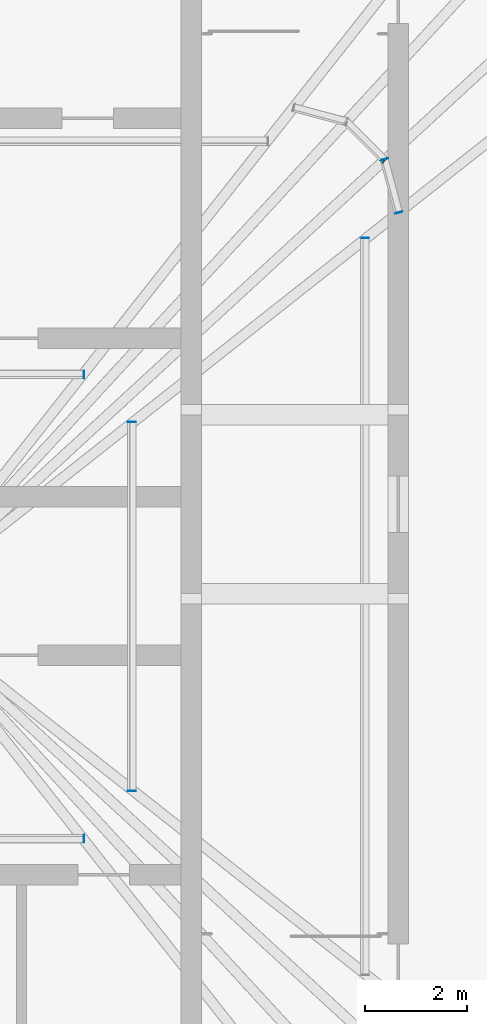
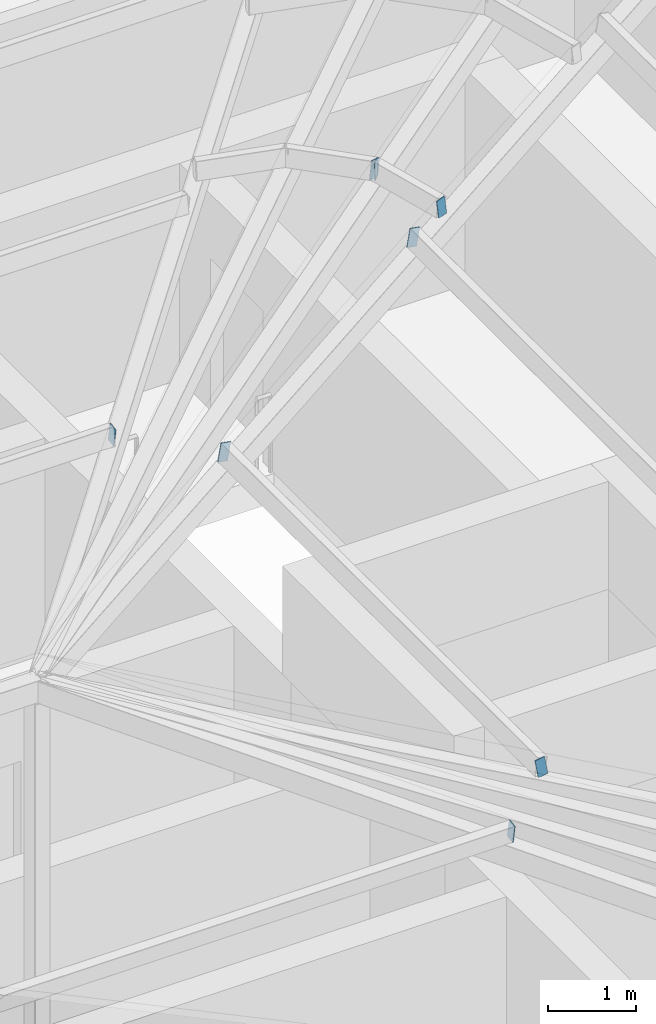
# One storey, part 33 of 46: 8 discrete accessories.
"""IFC4 building model written with IfcOpenShell, lengths in metres."""

from ifc_helpers import new_model, si_unit, direction, frame, origin, origin_2d, place, context, subcontext, project, spatial, rectangle, extrude, material, type_object, element, save


model = new_model("IFC4")

# Units and contexts
model_context = context("Model", 3, precision=1e-05, world=origin(), true_north=direction((0.0, 1.0)))
body_context = subcontext(model_context, "Body", "Model", "MODEL_VIEW")
ifc_project = project(units=[si_unit("LENGTHUNIT", "METRE"), si_unit("AREAUNIT", "SQUARE_METRE"), si_unit("VOLUMEUNIT", "CUBIC_METRE"), si_unit("PLANEANGLEUNIT", "RADIAN"), si_unit("MASSUNIT", "GRAM", prefix="KILO")], contexts=[model_context])

# Site, building, storey
site_placement = place(None, origin())
site = spatial("IfcSite", under=ifc_project, at=site_placement, CompositionType="ELEMENT")
building_placement = place(site_placement, origin())
building = spatial("IfcBuilding", under=site, at=building_placement, Name="Madar Terraces", CompositionType="ELEMENT")
storey_placement = place(building_placement, frame((0.0, 0.0, 317.300048828125)))
storey = spatial("IfcBuildingStorey", under=building, at=storey_placement, Name="L82", CompositionType="ELEMENT", Elevation=317.300048828125)

# Discrete accessories
ifc_material = material(Name="Steel plate ASTM A36, galvanised", Category="steel")
discrete_accessory_type = type_object("IfcDiscreteAccessoryType", Name="Hollow section end plate", PredefinedType="BRACKET", material=ifc_material)
for number, where, z_axis, x_axis, name in (
    (1, (37.199951171875, 19.4619140625, 6.629150390625), (1.0, 0.0, 0.0), (0.0, 0.984957023705, 0.172799483372), "Hollow section end plate"),
    (2, (37.199951171875, 28.5380859375, 6.629150390625), (1.0, 0.0, 0.0), (0.0, 0.984957023705, 0.172799483372), "Hollow section end plate"),
    (3, (42.697998046875, 31.199951171875, 5.8291015625), (0.0, 1.0, 0.0), (-0.984957023705, 0.0, 0.172799483372), "Hollow section end plate"),
    (4, (38.137939453125, 20.39990234375, 6.629150390625), (0.0, -1.0, 0.0), (0.984957023705, 0.0, 0.172799483372), "Hollow section end plate"),
    (5, (38.137939453125, 27.60009765625, 6.629150390625), (0.0, 1.0, 0.0), (-0.984957023705, 0.0, 0.172799483372), "Hollow section end plate"),
):
    element("IfcDiscreteAccessory", number, at=place(storey_placement, frame(where, z_axis=z_axis, x_axis=x_axis)), inside=storey, type_object=discrete_accessory_type, Name=name, PredefinedType="BRACKET", context=body_context, shape_type="SweptSolid", body=[
        extrude(rectangle(XDim=0.126953125, YDim=0.25390625, at=origin_2d()), origin(), (0.0, 0.0, 1.0), 0.011962890625),
    ])
discrete_accessory_placement = place(storey_placement, frame((43.35498046875, 31.7099609375, 5.714111328125), z_axis=(0.261415475728, -0.96522637192, 0.0), x_axis=(0.956510055821, 0.259054806785, 0.13408624163)))
element("IfcDiscreteAccessory", 6, at=discrete_accessory_placement, inside=storey, type_object=discrete_accessory_type, Name="Hollow section end plate", PredefinedType="BRACKET", context=body_context, shape_type="SweptSolid", body=[
    extrude(rectangle(XDim=0.126953125, YDim=0.25390625, at=origin_2d()), origin(), (0.0, 0.0, 1.0), 0.01220703125),
])
for number, where, z_axis, x_axis, name in (
    (7, (43.079345703125, 32.738525390625, 5.714111328125), (-0.266586054538, 0.963811120254, 0.0), (-0.95510758435, -0.264178693544, 0.13408624163), "Hollow section end plate"),
    (8, (43.083984375, 32.73095703125, 5.7138671875), (0.717279380859, -0.696785684263, 0.0), (0.69071035684, 0.711025367336, 0.131765435371), "Hollow section end plate"),
):
    element("IfcDiscreteAccessory", number, at=place(storey_placement, frame(where, z_axis=z_axis, x_axis=x_axis)), inside=storey, type_object=discrete_accessory_type, Name=name, PredefinedType="BRACKET", context=body_context, shape_type="SweptSolid", body=[
        extrude(rectangle(XDim=0.126953125, YDim=0.25390625, at=origin_2d()), origin(), (0.0, 0.0, 1.0), 0.011962890625),
    ])

save(model, "model.ifc")
